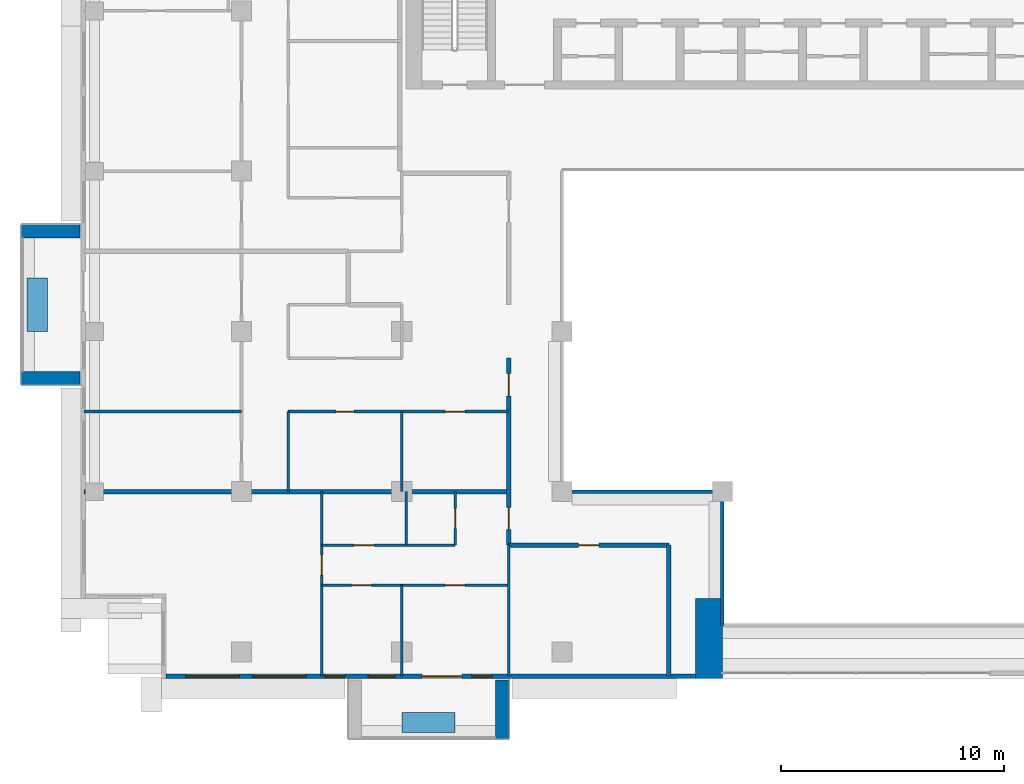
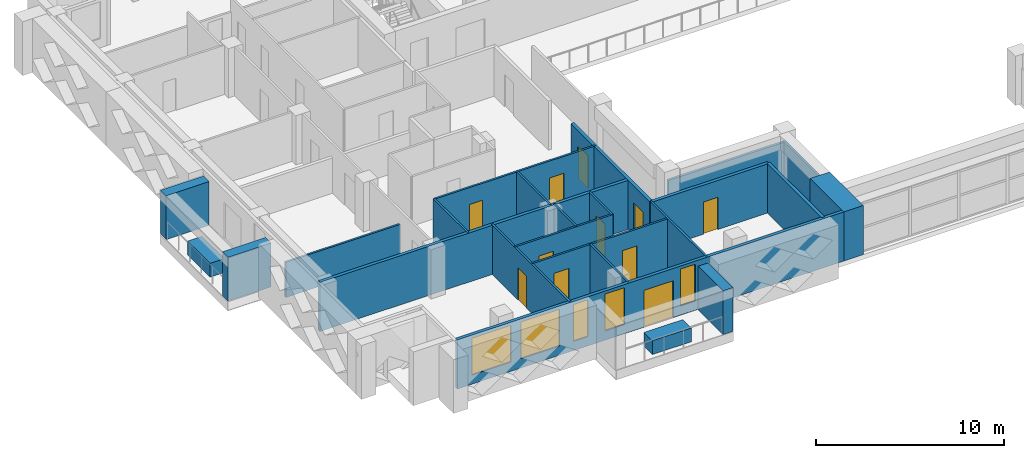
# One storey, part 6 of 20: 24 walls, 11 doors, 5 windows, 16 openings.
"""IFC4 building model written with IfcOpenShell, lengths in metres."""

from ifc_helpers import new_model, si_unit, direction, frame, frame_2d, origin, place, context, subcontext, project, spatial, rectangle, extrude, material, layer, layer_set, type_object, element, fill, save


model = new_model("IFC4")

# Units and contexts
model_context = context("Model", 3, precision=1e-05, world=origin(), true_north=direction((0.0, 1.0)))
body_context = subcontext(model_context, "Body", "Model", "MODEL_VIEW")
ifc_project = project(units=[si_unit("LENGTHUNIT", "METRE"), si_unit("AREAUNIT", "SQUARE_METRE"), si_unit("VOLUMEUNIT", "CUBIC_METRE"), si_unit("PLANEANGLEUNIT", "RADIAN"), si_unit("MASSUNIT", "GRAM", prefix="KILO")], contexts=[model_context])

# Site, building, storey
site_placement = place(None, origin())
site = spatial("IfcSite", under=ifc_project, at=site_placement, CompositionType="ELEMENT")
building_placement = place(site_placement, origin())
building = spatial("IfcBuilding", under=site, at=building_placement, Name="Saffron Iwan Residences", CompositionType="ELEMENT")
storey_placement = place(building_placement, frame((0.0, 0.0, 181.5)))
storey = spatial("IfcBuildingStorey", under=building, at=storey_placement, Name="L48", CompositionType="ELEMENT", Elevation=181.5)

# Walls
ifc_material_1 = material(Name="Fire-rated glazing", Category="glass")
ifc_layer_1 = layer(ifc_material_1, 0.14990234375)
ifc_layer_set_1 = layer_set([ifc_layer_1], Name="Fire-rated glazing")
wall_type_1 = type_object("IfcWallType", Name="Atrium glazed screen 150", PredefinedType="SOLIDWALL", material=ifc_layer_set_1)
wall_1_placement = place(storey_placement, frame((36.0, 48.0, 0.0), z_axis=(0.0, 0.0, 1.0), x_axis=(1.0, 0.0, 0.0)))
element("IfcWall", 1, at=wall_1_placement, inside=storey, type_object=wall_type_1, Name="W-L48-SCREEN-h48-36", PredefinedType="SOLIDWALL", context=body_context, shape_type="SweptSolid", body=[
    extrude(rectangle(XDim=7.199951171875, YDim=0.14990234375, at=frame_2d((3.60009765625, 0.0))), origin(), (0.0, 0.0, 1.0), 2.300048828125),
])
wall_2_placement = place(storey_placement, frame((43.199951171875, 42.0, 0.0), z_axis=(0.0, 0.0, 1.0), x_axis=(0.0, 1.0, 0.0)))
element("IfcWall", 2, at=wall_2_placement, inside=storey, type_object=wall_type_1, Name="W-L48-SCREEN-v43.2-42", PredefinedType="SOLIDWALL", context=body_context, shape_type="SweptSolid", body=[
    extrude(rectangle(XDim=6.0, YDim=0.14990234375, at=frame_2d((3.0, 0.0))), origin(), (0.0, 0.0, 1.0), 2.300048828125),
])
ifc_material_2 = material(Name="Concrete C50/60 white painted", Category="concrete")
ifc_layer_2 = layer(ifc_material_2, 0.60009765625)
ifc_layer_set_2 = layer_set([ifc_layer_2], Name="Concrete C50/60 white painted")
wall_type_2 = type_object("IfcWallType", Name="BALCONY FIN 600", PredefinedType="SOLIDWALL", material=ifc_layer_set_2)
for number, where, z_axis, x_axis, name in (
    (3, (14.35009765625, 59.699951171875, 0.0), (0.0, 0.0, 1.0), (-1.0, 0.0, 0.0), "Balcony fin L48 F8-1a"),
    (4, (14.35009765625, 53.10009765625, 0.0), (0.0, 0.0, 1.0), (-1.0, 0.0, 0.0), "Balcony fin L48 F8-1b"),
    (5, (33.300048828125, 39.550048828125, 0.0), (0.0, 0.0, 1.0), (0.0, -1.0, 0.0), "Balcony fin L48 11-0b"),
):
    element("IfcWall", number, at=place(storey_placement, frame(where, z_axis=z_axis, x_axis=x_axis)), inside=storey, type_object=wall_type_2, Name=name, PredefinedType="SOLIDWALL", context=body_context, shape_type="SweptSolid", body=[
        extrude(rectangle(XDim=2.650146484375, YDim=0.60009765625, at=frame_2d((1.3251953125, 0.0))), origin(), (0.0, 0.0, 1.0), 2.85009765625),
    ])
ifc_material_3 = material(Name="Concrete C35/45 white painted", Category="concrete")
ifc_layer_3 = layer(ifc_material_3, 0.14990234375)
ifc_layer_set_3 = layer_set([ifc_layer_3], Name="Concrete C35/45 white painted")
wall_type_3 = type_object("IfcWallType", Name="BALCONY PLANTER", PredefinedType="SOLIDWALL", material=ifc_layer_set_3)
wall_3_placement = place(storey_placement, frame((12.425048828125, 57.60009765625, 0.0), z_axis=(0.0, 0.0, 1.0), x_axis=(0.0, -1.0, 0.0)))
element("IfcWall", 6, at=wall_3_placement, inside=storey, type_object=wall_type_3, Name="PLANTER L48 F8-1", PredefinedType="SOLIDWALL", context=body_context, shape_type="SweptSolid", body=[
    extrude(rectangle(XDim=2.400146484375, YDim=0.89990234375, at=frame_2d((1.2001953125, 0.0))), origin(), (0.0, 0.0, 1.0), 0.89990234375),
])
wall_4_placement = place(storey_placement, frame((28.800048828125, 37.625, 0.0), z_axis=(0.0, 0.0, 1.0), x_axis=(1.0, 0.0, 0.0)))
element("IfcWall", 7, at=wall_4_placement, inside=storey, type_object=wall_type_3, Name="PLANTER L48 11-0", PredefinedType="SOLIDWALL", context=body_context, shape_type="SweptSolid", body=[
    extrude(rectangle(XDim=2.39990234375, YDim=0.89990234375, at=frame_2d((1.199951171875, 0.0))), origin(), (0.0, 0.0, 1.0), 0.89990234375),
])

# Wall, openings, door, windows
ifc_material_4 = material(Name="Concrete C40/50", Category="concrete")
ifc_layer_4 = layer(ifc_material_4, 0.199951171875)
ifc_layer_set_4 = layer_set([ifc_layer_4], Name="Concrete C40/50")
wall_type_4 = type_object("IfcWallType", Name="EXTERNAL WALL 200", PredefinedType="SOLIDWALL", material=ifc_layer_set_4)
wall_5_placement = place(storey_placement, frame((18.199951171875, 39.699951171875, 0.0), z_axis=(0.0, 0.0, 1.0), x_axis=(1.0, 0.0, 0.0)))
wall_5 = element("IfcWall", 8, at=wall_5_placement, inside=storey, type_object=wall_type_4, Name="External wall L48 F11.0", PredefinedType="SOLIDWALL", context=body_context, shape_type="SweptSolid", body=[
    extrude(rectangle(XDim=23.800048828125, YDim=0.199951171875, at=frame_2d((11.89990234375, 0.0))), origin(), (0.0, 0.0, 1.0), 3.199951171875),
])
opening_1_placement = place(wall_5_placement, frame((11.5, 0.0, 0.0)))
opening_1 = element("IfcOpeningElement", 9, at=opening_1_placement, cuts=wall_5, Name="Opening BD1", PredefinedType="OPENING", context=body_context, shape_type="SweptSolid", body=[
    extrude(rectangle(XDim=1.800048828125, YDim=2.39990234375, at=frame_2d((0.89990234375, 1.199951171875))), frame((0.0, 0.10986328125, 0.0), z_axis=(0.0, -1.0, 0.0), x_axis=(1.0, 0.0, 0.0)), (0.0, 0.0, 1.0), 0.219970703125),
])
opening_2_placement = place(wall_5_placement, frame((0.89990234375, 0.0, 0.60009765625)))
opening_2 = element("IfcOpeningElement", 10, at=opening_2_placement, cuts=wall_5, Name="Opening W1", PredefinedType="OPENING", context=body_context, shape_type="SweptSolid", body=[
    extrude(rectangle(XDim=2.39990234375, YDim=2.39990234375, at=frame_2d((1.199951171875, 1.199951171875))), frame((0.0, 0.10986328125, 0.0), z_axis=(0.0, -1.0, 0.0), x_axis=(1.0, 0.0, 0.0)), (0.0, 0.0, 1.0), 0.219970703125),
])
opening_3_placement = place(wall_5_placement, frame((3.89990234375, 0.0, 0.60009765625)))
opening_3 = element("IfcOpeningElement", 11, at=opening_3_placement, cuts=wall_5, Name="Opening W1", PredefinedType="OPENING", context=body_context, shape_type="SweptSolid", body=[
    extrude(rectangle(XDim=2.39990234375, YDim=2.39990234375, at=frame_2d((1.199951171875, 1.199951171875))), frame((0.0, 0.10986328125, 0.0), z_axis=(0.0, -1.0, 0.0), x_axis=(1.0, 0.0, 0.0)), (0.0, 0.0, 1.0), 0.219970703125),
])
opening_4_placement = place(wall_5_placement, frame((7.14990234375, 0.0, 0.60009765625)))
opening_4 = element("IfcOpeningElement", 12, at=opening_4_placement, cuts=wall_5, Name="Opening W10", PredefinedType="OPENING", context=body_context, shape_type="SweptSolid", body=[
    extrude(rectangle(XDim=0.89990234375, YDim=2.39990234375, at=frame_2d((0.449951171875, 1.199951171875))), frame((0.0, 0.10986328125, 0.0), z_axis=(0.0, -1.0, 0.0), x_axis=(1.0, 0.0, 0.0)), (0.0, 0.0, 1.0), 0.219970703125),
])
opening_5_placement = place(wall_5_placement, frame((9.10009765625, 0.0, 0.60009765625)))
opening_5 = element("IfcOpeningElement", 13, at=opening_5_placement, cuts=wall_5, Name="Opening W3", PredefinedType="OPENING", context=body_context, shape_type="SweptSolid", body=[
    extrude(rectangle(XDim=1.199951171875, YDim=2.39990234375, at=frame_2d((0.60009765625, 1.199951171875))), frame((0.0, 0.10986328125, 0.0), z_axis=(0.0, -1.0, 0.0), x_axis=(1.0, 0.0, 0.0)), (0.0, 0.0, 1.0), 0.219970703125),
])
opening_6_placement = place(wall_5_placement, frame((13.75, 0.0, 0.60009765625)))
opening_6 = element("IfcOpeningElement", 14, at=opening_6_placement, cuts=wall_5, Name="Opening W10", PredefinedType="OPENING", context=body_context, shape_type="SweptSolid", body=[
    extrude(rectangle(XDim=0.89990234375, YDim=2.39990234375, at=frame_2d((0.449951171875, 1.199951171875))), frame((0.0, 0.10986328125, 0.0), z_axis=(0.0, -1.0, 0.0), x_axis=(1.0, 0.0, 0.0)), (0.0, 0.0, 1.0), 0.219970703125),
])
ifc_material_5 = material(Name="Clear glass, laminated double glazed", Category="glass")
door_type_1 = type_object("IfcDoorType", Name="BALCONY DOOR 1800 x 2400", OperationType="DOUBLE_DOOR_SLIDING", PredefinedType="DOOR", material=ifc_material_5)
door_1_placement = place(opening_1_placement, origin())
door_1 = element("IfcDoor", 15, at=door_1_placement, inside=storey, type_object=door_type_1, Name="Balcony door L48 F11.0", OperationType="DOUBLE_DOOR_SLIDING", OverallHeight=2.39990234375, OverallWidth=1.800048828125, PredefinedType="DOOR", context=body_context, shape_type="SweptSolid", body=[
    extrude(rectangle(XDim=1.800048828125, YDim=2.39990234375, at=frame_2d((0.89990234375, 1.199951171875))), frame((0.0, 0.02490234375, 0.0), z_axis=(0.0, -1.0, 0.0), x_axis=(1.0, 0.0, 0.0)), (0.0, 0.0, 1.0), 0.050048828125),
])
fill(opening_1, door_1)
window_type_1 = type_object("IfcWindowType", Name="WINDOW 1200 x 2400", PartitioningType="SINGLE_PANEL", PredefinedType="WINDOW", material=ifc_material_5)
window_1_placement = place(opening_5_placement, origin())
window_1 = element("IfcWindow", 16, at=window_1_placement, inside=storey, type_object=window_type_1, Name="Window L48 F11.4", OverallHeight=2.39990234375, OverallWidth=1.199951171875, PartitioningType="SINGLE_PANEL", PredefinedType="WINDOW", context=body_context, shape_type="SweptSolid", body=[
    extrude(rectangle(XDim=1.199951171875, YDim=2.39990234375, at=frame_2d((0.60009765625, 1.199951171875))), frame((0.0, 0.030029296875, 0.0), z_axis=(0.0, -1.0, 0.0), x_axis=(1.0, 0.0, 0.0)), (0.0, 0.0, 1.0), 0.06005859375),
])
fill(opening_5, window_1)
window_type_2 = type_object("IfcWindowType", Name="WINDOW 2400 x 2400", PartitioningType="DOUBLE_PANEL_VERTICAL", PredefinedType="WINDOW", material=ifc_material_5)
window_2_placement = place(opening_2_placement, origin())
window_2 = element("IfcWindow", 17, at=window_2_placement, inside=storey, type_object=window_type_2, Name="Window L48 F11.1", OverallHeight=2.39990234375, OverallWidth=2.39990234375, PartitioningType="DOUBLE_PANEL_VERTICAL", PredefinedType="WINDOW", context=body_context, shape_type="SweptSolid", body=[
    extrude(rectangle(XDim=2.39990234375, YDim=2.39990234375, at=frame_2d((1.199951171875, 1.199951171875))), frame((0.0, 0.030029296875, 0.0), z_axis=(0.0, -1.0, 0.0), x_axis=(1.0, 0.0, 0.0)), (0.0, 0.0, 1.0), 0.06005859375),
])
fill(opening_2, window_2)
window_3_placement = place(opening_3_placement, origin())
window_3 = element("IfcWindow", 18, at=window_3_placement, inside=storey, type_object=window_type_2, Name="Window L48 F11.2", OverallHeight=2.39990234375, OverallWidth=2.39990234375, PartitioningType="DOUBLE_PANEL_VERTICAL", PredefinedType="WINDOW", context=body_context, shape_type="SweptSolid", body=[
    extrude(rectangle(XDim=2.39990234375, YDim=2.39990234375, at=frame_2d((1.199951171875, 1.199951171875))), frame((0.0, 0.030029296875, 0.0), z_axis=(0.0, -1.0, 0.0), x_axis=(1.0, 0.0, 0.0)), (0.0, 0.0, 1.0), 0.06005859375),
])
fill(opening_3, window_3)
window_type_3 = type_object("IfcWindowType", Name="WINDOW 900 x 2400", PartitioningType="SINGLE_PANEL", PredefinedType="WINDOW", material=ifc_material_5)
window_4_placement = place(opening_4_placement, origin())
window_4 = element("IfcWindow", 19, at=window_4_placement, inside=storey, type_object=window_type_3, Name="Window L48 F11.3", OverallHeight=2.39990234375, OverallWidth=0.89990234375, PartitioningType="SINGLE_PANEL", PredefinedType="WINDOW", context=body_context, shape_type="SweptSolid", body=[
    extrude(rectangle(XDim=0.89990234375, YDim=2.39990234375, at=frame_2d((0.449951171875, 1.199951171875))), frame((0.0, 0.030029296875, 0.0), z_axis=(0.0, -1.0, 0.0), x_axis=(1.0, 0.0, 0.0)), (0.0, 0.0, 1.0), 0.06005859375),
])
fill(opening_4, window_4)
window_5_placement = place(opening_6_placement, origin())
window_5 = element("IfcWindow", 20, at=window_5_placement, inside=storey, type_object=window_type_3, Name="Window L48 F11.5", OverallHeight=2.39990234375, OverallWidth=0.89990234375, PartitioningType="SINGLE_PANEL", PredefinedType="WINDOW", context=body_context, shape_type="SweptSolid", body=[
    extrude(rectangle(XDim=0.89990234375, YDim=2.39990234375, at=frame_2d((0.449951171875, 1.199951171875))), frame((0.0, 0.030029296875, 0.0), z_axis=(0.0, -1.0, 0.0), x_axis=(1.0, 0.0, 0.0)), (0.0, 0.0, 1.0), 0.06005859375),
])
fill(opening_6, window_5)

# Wall
ifc_material_6 = material(Name="Fire-rated gypsum board wall")
ifc_layer_5 = layer(ifc_material_6, 0.199951171875)
ifc_layer_set_5 = layer_set([ifc_layer_5], Name="Fire-rated gypsum board wall")
wall_type_5 = type_object("IfcWallType", Name="Flat demising wall 200", PredefinedType="SOLIDWALL", material=ifc_layer_set_5)
wall_6_placement = place(storey_placement, frame((14.52490234375, 48.0, 0.0), z_axis=(0.0, 0.0, 1.0), x_axis=(1.0, 0.0, 0.0)))
element("IfcWall", 21, at=wall_6_placement, inside=storey, type_object=wall_type_5, Name="W-L48-DEMISE-h48-14.525", PredefinedType="SOLIDWALL", context=body_context, shape_type="SweptSolid", body=[
    extrude(rectangle(XDim=19.0751953125, YDim=0.199951171875, at=frame_2d((9.53759765625, 0.0))), origin(), (0.0, 0.0, 1.0), 3.199951171875),
])

# Wall, openings, doors
ifc_material_7 = material(Name="Gypsum board partition")
ifc_layer_6 = layer(ifc_material_7, 0.1201171875)
ifc_layer_set_6 = layer_set([ifc_layer_6], Name="Gypsum board partition")
wall_type_6 = type_object("IfcWallType", Name="Flat partition 120", PredefinedType="PARTITIONING", material=ifc_layer_set_6)
wall_7_placement = place(storey_placement, frame((25.199951171875, 43.800048828125, 0.0), z_axis=(0.0, 0.0, 1.0), x_axis=(1.0, 0.0, 0.0)))
wall_7 = element("IfcWall", 22, at=wall_7_placement, inside=storey, type_object=wall_type_6, Name="W-L48-PART-h43.8-25.2", PredefinedType="PARTITIONING", context=body_context, shape_type="SweptSolid", body=[
    extrude(rectangle(XDim=8.400146484375, YDim=0.1201171875, at=frame_2d((4.2001953125, 0.0))), origin(), (0.0, 0.0, 1.0), 3.199951171875),
])
opening_7_placement = place(wall_7_placement, frame((1.35009765625, 0.0, 0.0)))
opening_7 = element("IfcOpeningElement", 23, at=opening_7_placement, cuts=wall_7, Name="Opening FD2", PredefinedType="OPENING", context=body_context, shape_type="SweptSolid", body=[
    extrude(rectangle(XDim=0.89990234375, YDim=2.10009765625, at=frame_2d((0.449951171875, 1.050048828125))), frame((0.0, 0.070068359375, 0.0), z_axis=(0.0, -1.0, 0.0), x_axis=(1.0, 0.0, 0.0)), (0.0, 0.0, 1.0), 0.14013671875),
])
opening_8_placement = place(wall_7_placement, frame((5.550048828125, 0.0, 0.0)))
opening_8 = element("IfcOpeningElement", 24, at=opening_8_placement, cuts=wall_7, Name="Opening FD2", PredefinedType="OPENING", context=body_context, shape_type="SweptSolid", body=[
    extrude(rectangle(XDim=0.89990234375, YDim=2.10009765625, at=frame_2d((0.449951171875, 1.050048828125))), frame((0.0, 0.070068359375, 0.0), z_axis=(0.0, -1.0, 0.0), x_axis=(1.0, 0.0, 0.0)), (0.0, 0.0, 1.0), 0.14013671875),
])
ifc_material_8 = material(Name="Timber door", Category="wood")
door_type_2 = type_object("IfcDoorType", Name="Flat door 900", OperationType="NOTDEFINED", PredefinedType="DOOR", material=ifc_material_8)
door_2_placement = place(opening_7_placement, origin())
door_2 = element("IfcDoor", 25, at=door_2_placement, inside=storey, type_object=door_type_2, Name="Door L48-003", OperationType="SINGLE_SWING_LEFT", OverallHeight=2.10009765625, OverallWidth=0.89990234375, PredefinedType="DOOR", context=body_context, shape_type="SweptSolid", body=[
    extrude(rectangle(XDim=0.89990234375, YDim=2.10009765625, at=frame_2d((0.449951171875, 1.050048828125))), frame((0.0, 0.02490234375, 0.0), z_axis=(0.0, -1.0, 0.0), x_axis=(1.0, 0.0, 0.0)), (0.0, 0.0, 1.0), 0.050048828125),
])
fill(opening_7, door_2)
door_3_placement = place(opening_8_placement, origin())
door_3 = element("IfcDoor", 26, at=door_3_placement, inside=storey, type_object=door_type_2, Name="Door L48-004", OperationType="SINGLE_SWING_RIGHT", OverallHeight=2.10009765625, OverallWidth=0.89990234375, PredefinedType="DOOR", context=body_context, shape_type="SweptSolid", body=[
    extrude(rectangle(XDim=0.89990234375, YDim=2.10009765625, at=frame_2d((0.449951171875, 1.050048828125))), frame((0.0, 0.02490234375, 0.0), z_axis=(0.0, -1.0, 0.0), x_axis=(1.0, 0.0, 0.0)), (0.0, 0.0, 1.0), 0.050048828125),
])
fill(opening_8, door_3)

# Wall, opening, door
wall_8_placement = place(storey_placement, frame((25.199951171875, 45.60009765625, 0.0), z_axis=(0.0, 0.0, 1.0), x_axis=(1.0, 0.0, 0.0)))
wall_8 = element("IfcWall", 27, at=wall_8_placement, inside=storey, type_object=wall_type_6, Name="W-L48-PART-h45.6-25.2", PredefinedType="PARTITIONING", context=body_context, shape_type="SweptSolid", body=[
    extrude(rectangle(XDim=6.0, YDim=0.1201171875, at=frame_2d((3.0, 0.0))), origin(), (0.0, 0.0, 1.0), 3.199951171875),
])
opening_9_placement = place(wall_8_placement, frame((1.449951171875, 0.0, 0.0)))
opening_9 = element("IfcOpeningElement", 28, at=opening_9_placement, cuts=wall_8, Name="Opening FD2", PredefinedType="OPENING", context=body_context, shape_type="SweptSolid", body=[
    extrude(rectangle(XDim=0.89990234375, YDim=2.10009765625, at=frame_2d((0.449951171875, 1.050048828125))), frame((0.0, 0.070068359375, 0.0), z_axis=(0.0, -1.0, 0.0), x_axis=(1.0, 0.0, 0.0)), (0.0, 0.0, 1.0), 0.14013671875),
])
door_4_placement = place(opening_9_placement, origin())
door_4 = element("IfcDoor", 29, at=door_4_placement, inside=storey, type_object=door_type_2, Name="Door L48-005", OperationType="SINGLE_SWING_LEFT", OverallHeight=2.10009765625, OverallWidth=0.89990234375, PredefinedType="DOOR", context=body_context, shape_type="SweptSolid", body=[
    extrude(rectangle(XDim=0.89990234375, YDim=2.10009765625, at=frame_2d((0.449951171875, 1.050048828125))), frame((0.0, 0.02490234375, 0.0), z_axis=(0.0, -1.0, 0.0), x_axis=(1.0, 0.0, 0.0)), (0.0, 0.0, 1.0), 0.050048828125),
])
fill(opening_9, door_4)

# Wall
wall_9_placement = place(storey_placement, frame((14.52490234375, 51.60009765625, 0.0), z_axis=(0.0, 0.0, 1.0), x_axis=(1.0, 0.0, 0.0)))
element("IfcWall", 30, at=wall_9_placement, inside=storey, type_object=wall_type_6, Name="W-L48-PART-h51.6-14.525", PredefinedType="PARTITIONING", context=body_context, shape_type="SweptSolid", body=[
    extrude(rectangle(XDim=7.0751953125, YDim=0.1201171875, at=frame_2d((3.53759765625, 0.0))), origin(), (0.0, 0.0, 1.0), 2.300048828125),
])

# Wall, openings, doors
wall_10_placement = place(storey_placement, frame((23.699951171875, 51.60009765625, 0.0), z_axis=(0.0, 0.0, 1.0), x_axis=(1.0, 0.0, 0.0)))
wall_10 = element("IfcWall", 31, at=wall_10_placement, inside=storey, type_object=wall_type_6, Name="W-L48-PART-h51.6-23.7", PredefinedType="PARTITIONING", context=body_context, shape_type="SweptSolid", body=[
    extrude(rectangle(XDim=9.900146484375, YDim=0.1201171875, at=frame_2d((4.9501953125, 0.0))), origin(), (0.0, 0.0, 1.0), 3.199951171875),
])
opening_10_placement = place(wall_10_placement, frame((2.14990234375, 0.0, 0.0)))
opening_10 = element("IfcOpeningElement", 32, at=opening_10_placement, cuts=wall_10, Name="Opening FD3", PredefinedType="OPENING", context=body_context, shape_type="SweptSolid", body=[
    extrude(rectangle(XDim=0.800048828125, YDim=2.10009765625, at=frame_2d((0.39990234375, 1.050048828125))), frame((0.0, 0.070068359375, 0.0), z_axis=(0.0, -1.0, 0.0), x_axis=(1.0, 0.0, 0.0)), (0.0, 0.0, 1.0), 0.14013671875),
])
opening_11_placement = place(wall_10_placement, frame((7.050048828125, 0.0, 0.0)))
opening_11 = element("IfcOpeningElement", 33, at=opening_11_placement, cuts=wall_10, Name="Opening FD2", PredefinedType="OPENING", context=body_context, shape_type="SweptSolid", body=[
    extrude(rectangle(XDim=0.89990234375, YDim=2.10009765625, at=frame_2d((0.449951171875, 1.050048828125))), frame((0.0, 0.070068359375, 0.0), z_axis=(0.0, -1.0, 0.0), x_axis=(1.0, 0.0, 0.0)), (0.0, 0.0, 1.0), 0.14013671875),
])
door_type_3 = type_object("IfcDoorType", Name="Bathroom door 800", OperationType="NOTDEFINED", PredefinedType="DOOR", material=ifc_material_8)
door_5_placement = place(opening_10_placement, origin())
door_5 = element("IfcDoor", 34, at=door_5_placement, inside=storey, type_object=door_type_3, Name="Door L48-011", OperationType="SINGLE_SWING_LEFT", OverallHeight=2.10009765625, OverallWidth=0.800048828125, PredefinedType="DOOR", context=body_context, shape_type="SweptSolid", body=[
    extrude(rectangle(XDim=0.800048828125, YDim=2.10009765625, at=frame_2d((0.39990234375, 1.050048828125))), frame((0.0, 0.02490234375, 0.0), z_axis=(0.0, -1.0, 0.0), x_axis=(1.0, 0.0, 0.0)), (0.0, 0.0, 1.0), 0.050048828125),
])
fill(opening_10, door_5)
door_6_placement = place(opening_11_placement, origin())
door_6 = element("IfcDoor", 35, at=door_6_placement, inside=storey, type_object=door_type_2, Name="Door L48-013", OperationType="SINGLE_SWING_RIGHT", OverallHeight=2.10009765625, OverallWidth=0.89990234375, PredefinedType="DOOR", context=body_context, shape_type="SweptSolid", body=[
    extrude(rectangle(XDim=0.89990234375, YDim=2.10009765625, at=frame_2d((0.449951171875, 1.050048828125))), frame((0.0, 0.02490234375, 0.0), z_axis=(0.0, -1.0, 0.0), x_axis=(1.0, 0.0, 0.0)), (0.0, 0.0, 1.0), 0.050048828125),
])
fill(opening_11, door_6)

# Wall
wall_11_placement = place(storey_placement, frame((23.699951171875, 48.0, 0.0), z_axis=(0.0, 0.0, 1.0), x_axis=(0.0, 1.0, 0.0)))
element("IfcWall", 36, at=wall_11_placement, inside=storey, type_object=wall_type_6, Name="W-L48-PART-v23.7-48", PredefinedType="PARTITIONING", context=body_context, shape_type="SweptSolid", body=[
    extrude(rectangle(XDim=3.60009765625, YDim=0.1201171875, at=frame_2d((1.800048828125, 0.0))), origin(), (0.0, 0.0, 1.0), 3.199951171875),
])

# Wall, opening, door
wall_12_placement = place(storey_placement, frame((25.199951171875, 39.72509765625, 0.0), z_axis=(0.0, 0.0, 1.0), x_axis=(0.0, 1.0, 0.0)))
wall_12 = element("IfcWall", 37, at=wall_12_placement, inside=storey, type_object=wall_type_6, Name="W-L48-PART-v25.2-39.725", PredefinedType="PARTITIONING", context=body_context, shape_type="SweptSolid", body=[
    extrude(rectangle(XDim=8.27490234375, YDim=0.1201171875, at=frame_2d((4.137451171875, 0.0))), origin(), (0.0, 0.0, 1.0), 3.199951171875),
])
opening_12_placement = place(wall_12_placement, frame((4.52490234375, 0.0, 0.0)))
opening_12 = element("IfcOpeningElement", 38, at=opening_12_placement, cuts=wall_12, Name="Opening FD2", PredefinedType="OPENING", context=body_context, shape_type="SweptSolid", body=[
    extrude(rectangle(XDim=0.89990234375, YDim=2.10009765625, at=frame_2d((0.449951171875, 1.050048828125))), frame((0.0, 0.070068359375, 0.0), z_axis=(0.0, -1.0, 0.0), x_axis=(1.0, 0.0, 0.0)), (0.0, 0.0, 1.0), 0.14013671875),
])
door_7_placement = place(opening_12_placement, origin())
door_7 = element("IfcDoor", 39, at=door_7_placement, inside=storey, type_object=door_type_2, Name="Door L48-002", OperationType="SINGLE_SWING_LEFT", OverallHeight=2.10009765625, OverallWidth=0.89990234375, PredefinedType="DOOR", context=body_context, shape_type="SweptSolid", body=[
    extrude(rectangle(XDim=0.89990234375, YDim=2.10009765625, at=frame_2d((0.449951171875, 1.050048828125))), frame((0.0, 0.02490234375, 0.0), z_axis=(0.0, -1.0, 0.0), x_axis=(1.0, 0.0, 0.0)), (0.0, 0.0, 1.0), 0.050048828125),
])
fill(opening_12, door_7)

# Walls
wall_13_placement = place(storey_placement, frame((28.800048828125, 39.72509765625, 0.0), z_axis=(0.0, 0.0, 1.0), x_axis=(0.0, 1.0, 0.0)))
element("IfcWall", 40, at=wall_13_placement, inside=storey, type_object=wall_type_6, Name="W-L48-PART-v28.8-39.725", PredefinedType="PARTITIONING", context=body_context, shape_type="SweptSolid", body=[
    extrude(rectangle(XDim=4.074951171875, YDim=0.1201171875, at=frame_2d((2.03759765625, 0.0))), origin(), (0.0, 0.0, 1.0), 3.199951171875),
])
wall_14_placement = place(storey_placement, frame((28.800048828125, 48.0, 0.0), z_axis=(0.0, 0.0, 1.0), x_axis=(0.0, 1.0, 0.0)))
element("IfcWall", 41, at=wall_14_placement, inside=storey, type_object=wall_type_6, Name="W-L48-PART-v28.8-48", PredefinedType="PARTITIONING", context=body_context, shape_type="SweptSolid", body=[
    extrude(rectangle(XDim=3.60009765625, YDim=0.1201171875, at=frame_2d((1.800048828125, 0.0))), origin(), (0.0, 0.0, 1.0), 3.199951171875),
])
wall_15_placement = place(storey_placement, frame((29.0, 45.60009765625, 0.0), z_axis=(0.0, 0.0, 1.0), x_axis=(0.0, 1.0, 0.0)))
element("IfcWall", 42, at=wall_15_placement, inside=storey, type_object=wall_type_6, Name="W-L48-PART-v29-45.6", PredefinedType="PARTITIONING", context=body_context, shape_type="SweptSolid", body=[
    extrude(rectangle(XDim=2.39990234375, YDim=0.1201171875, at=frame_2d((1.199951171875, 0.0))), origin(), (0.0, 0.0, 1.0), 3.199951171875),
])

# Wall, opening, door
wall_16_placement = place(storey_placement, frame((31.199951171875, 45.60009765625, 0.0), z_axis=(0.0, 0.0, 1.0), x_axis=(0.0, 1.0, 0.0)))
wall_16 = element("IfcWall", 43, at=wall_16_placement, inside=storey, type_object=wall_type_6, Name="W-L48-PART-v31.2-45.6", PredefinedType="PARTITIONING", context=body_context, shape_type="SweptSolid", body=[
    extrude(rectangle(XDim=2.39990234375, YDim=0.1201171875, at=frame_2d((1.199951171875, 0.0))), origin(), (0.0, 0.0, 1.0), 3.199951171875),
])
opening_13_placement = place(wall_16_placement, frame((0.75, 0.0, 0.0)))
opening_13 = element("IfcOpeningElement", 44, at=opening_13_placement, cuts=wall_16, Name="Opening FD2", PredefinedType="OPENING", context=body_context, shape_type="SweptSolid", body=[
    extrude(rectangle(XDim=0.89990234375, YDim=2.10009765625, at=frame_2d((0.449951171875, 1.050048828125))), frame((0.0, 0.070068359375, 0.0), z_axis=(0.0, -1.0, 0.0), x_axis=(1.0, 0.0, 0.0)), (0.0, 0.0, 1.0), 0.14013671875),
])
door_8_placement = place(opening_13_placement, origin())
door_8 = element("IfcDoor", 45, at=door_8_placement, inside=storey, type_object=door_type_2, Name="Door L48-006", OperationType="SINGLE_SWING_LEFT", OverallHeight=2.10009765625, OverallWidth=0.89990234375, PredefinedType="DOOR", context=body_context, shape_type="SweptSolid", body=[
    extrude(rectangle(XDim=0.89990234375, YDim=2.10009765625, at=frame_2d((0.449951171875, 1.050048828125))), frame((0.0, 0.02490234375, 0.0), z_axis=(0.0, -1.0, 0.0), x_axis=(1.0, 0.0, 0.0)), (0.0, 0.0, 1.0), 0.050048828125),
])
fill(opening_13, door_8)

# Wall
wall_17_placement = place(storey_placement, frame((33.60009765625, 39.72509765625, 0.0), z_axis=(0.0, 0.0, 1.0), x_axis=(0.0, 1.0, 0.0)))
element("IfcWall", 46, at=wall_17_placement, inside=storey, type_object=wall_type_6, Name="W-L48-PART-v33.6-39.725", PredefinedType="PARTITIONING", context=body_context, shape_type="SweptSolid", body=[
    extrude(rectangle(XDim=5.875, YDim=0.1201171875, at=frame_2d((2.9375, 0.0))), origin(), (0.0, 0.0, 1.0), 3.199951171875),
])

# Wall, opening, door
ifc_layer_7 = layer(ifc_material_6, 0.199951171875)
ifc_layer_set_7 = layer_set([ifc_layer_7], Name="Fire-rated gypsum board wall")
wall_type_7 = type_object("IfcWallType", Name="Gallery wall 200", PredefinedType="SOLIDWALL", material=ifc_layer_set_7)
wall_18_placement = place(storey_placement, frame((33.60009765625, 45.60009765625, 0.0), z_axis=(0.0, 0.0, 1.0), x_axis=(1.0, 0.0, 0.0)))
wall_18 = element("IfcWall", 47, at=wall_18_placement, inside=storey, type_object=wall_type_7, Name="W-L48-CORR-h45.6-33.6", PredefinedType="SOLIDWALL", context=body_context, shape_type="SweptSolid", body=[
    extrude(rectangle(XDim=7.199951171875, YDim=0.199951171875, at=frame_2d((3.60009765625, 0.0))), origin(), (0.0, 0.0, 1.0), 3.199951171875),
])
opening_14_placement = place(wall_18_placement, frame((3.14990234375, 0.0, 0.0)))
opening_14 = element("IfcOpeningElement", 48, at=opening_14_placement, cuts=wall_18, Name="Opening FD2", PredefinedType="OPENING", context=body_context, shape_type="SweptSolid", body=[
    extrude(rectangle(XDim=0.89990234375, YDim=2.10009765625, at=frame_2d((0.449951171875, 1.050048828125))), frame((0.0, 0.10986328125, 0.0), z_axis=(0.0, -1.0, 0.0), x_axis=(1.0, 0.0, 0.0)), (0.0, 0.0, 1.0), 0.219970703125),
])
door_9_placement = place(opening_14_placement, origin())
door_9 = element("IfcDoor", 49, at=door_9_placement, inside=storey, type_object=door_type_2, Name="Door L48-007", OperationType="SINGLE_SWING_RIGHT", OverallHeight=2.10009765625, OverallWidth=0.89990234375, PredefinedType="DOOR", context=body_context, shape_type="SweptSolid", body=[
    extrude(rectangle(XDim=0.89990234375, YDim=2.10009765625, at=frame_2d((0.449951171875, 1.050048828125))), frame((0.0, 0.02490234375, 0.0), z_axis=(0.0, -1.0, 0.0), x_axis=(1.0, 0.0, 0.0)), (0.0, 0.0, 1.0), 0.050048828125),
])
fill(opening_14, door_9)

# Wall, openings, doors
wall_19_placement = place(storey_placement, frame((33.60009765625, 45.60009765625, 0.0), z_axis=(0.0, 0.0, 1.0), x_axis=(0.0, 1.0, 0.0)))
wall_19 = element("IfcWall", 50, at=wall_19_placement, inside=storey, type_object=wall_type_7, Name="W-L48-CORR-v33.6-45.6", PredefinedType="SOLIDWALL", context=body_context, shape_type="SweptSolid", body=[
    extrude(rectangle(XDim=8.39990234375, YDim=0.199951171875, at=frame_2d((4.199951171875, 0.0))), origin(), (0.0, 0.0, 1.0), 3.199951171875),
])
opening_15_placement = place(wall_19_placement, frame((0.699951171875, 0.0, 0.0)))
opening_15 = element("IfcOpeningElement", 51, at=opening_15_placement, cuts=wall_19, Name="Opening FD1", PredefinedType="OPENING", context=body_context, shape_type="SweptSolid", body=[
    extrude(rectangle(XDim=1.0, YDim=2.10009765625, at=frame_2d((0.5, 1.050048828125))), frame((0.0, 0.10986328125, 0.0), z_axis=(0.0, -1.0, 0.0), x_axis=(1.0, 0.0, 0.0)), (0.0, 0.0, 1.0), 0.219970703125),
])
opening_16_placement = place(wall_19_placement, frame((6.699951171875, 0.0, 0.0)))
opening_16 = element("IfcOpeningElement", 52, at=opening_16_placement, cuts=wall_19, Name="Opening FD1", PredefinedType="OPENING", context=body_context, shape_type="SweptSolid", body=[
    extrude(rectangle(XDim=1.0, YDim=2.10009765625, at=frame_2d((0.5, 1.050048828125))), frame((0.0, 0.10986328125, 0.0), z_axis=(0.0, -1.0, 0.0), x_axis=(1.0, 0.0, 0.0)), (0.0, 0.0, 1.0), 0.219970703125),
])
ifc_material_9 = material(Name="Fire-rated timber door", Category="wood")
door_type_4 = type_object("IfcDoorType", Name="FD30S flat entrance door 1000", OperationType="NOTDEFINED", PredefinedType="DOOR", material=ifc_material_9)
door_10_placement = place(opening_15_placement, origin())
door_10 = element("IfcDoor", 53, at=door_10_placement, inside=storey, type_object=door_type_4, Name="Door L48-001", OperationType="SINGLE_SWING_RIGHT", OverallHeight=2.10009765625, OverallWidth=1.0, PredefinedType="DOOR", context=body_context, shape_type="SweptSolid", body=[
    extrude(rectangle(XDim=1.0, YDim=2.10009765625, at=frame_2d((0.5, 1.050048828125))), frame((0.0, 0.02490234375, 0.0), z_axis=(0.0, -1.0, 0.0), x_axis=(1.0, 0.0, 0.0)), (0.0, 0.0, 1.0), 0.050048828125),
])
fill(opening_15, door_10)
door_11_placement = place(opening_16_placement, origin())
door_11 = element("IfcDoor", 54, at=door_11_placement, inside=storey, type_object=door_type_4, Name="Door L48-008", OperationType="SINGLE_SWING_LEFT", OverallHeight=2.10009765625, OverallWidth=1.0, PredefinedType="DOOR", context=body_context, shape_type="SweptSolid", body=[
    extrude(rectangle(XDim=1.0, YDim=2.10009765625, at=frame_2d((0.5, 1.050048828125))), frame((0.0, 0.02490234375, 0.0), z_axis=(0.0, -1.0, 0.0), x_axis=(1.0, 0.0, 0.0)), (0.0, 0.0, 1.0), 0.050048828125),
])
fill(opening_16, door_11)

# Walls
wall_20_placement = place(storey_placement, frame((40.800048828125, 39.72509765625, 0.0), z_axis=(0.0, 0.0, 1.0), x_axis=(0.0, 1.0, 0.0)))
element("IfcWall", 55, at=wall_20_placement, inside=storey, type_object=wall_type_7, Name="W-L48-CORR-v40.8-39.725", PredefinedType="SOLIDWALL", context=body_context, shape_type="SweptSolid", body=[
    extrude(rectangle(XDim=5.875, YDim=0.199951171875, at=frame_2d((2.9375, 0.0))), origin(), (0.0, 0.0, 1.0), 3.199951171875),
])
ifc_material_10 = material(Name="Concrete C50/60", Category="concrete")
ifc_layer_8 = layer(ifc_material_10, 1.199951171875)
ifc_layer_set_8 = layer_set([ifc_layer_8], Name="Concrete C50/60")
wall_type_8 = type_object("IfcWallType", Name="WALL IWAN PIER 1200 C50/60 3200 HIGH", PredefinedType="SHEAR", material=ifc_layer_set_8)
wall_21_placement = place(storey_placement, frame((42.60009765625, 39.60009765625, 0.0), z_axis=(0.0, 0.0, 1.0), x_axis=(0.0, 1.0, 0.0)))
element("IfcWall", 56, at=wall_21_placement, inside=storey, type_object=wall_type_8, Name="IWAN PIER", PredefinedType="SHEAR", context=body_context, shape_type="SweptSolid", body=[
    extrude(rectangle(XDim=3.599853515625, YDim=1.199951171875, at=frame_2d((1.7998046875, 0.0))), origin(), (0.0, 0.0, 1.0), 3.199951171875),
])

save(model, "model.ifc")
